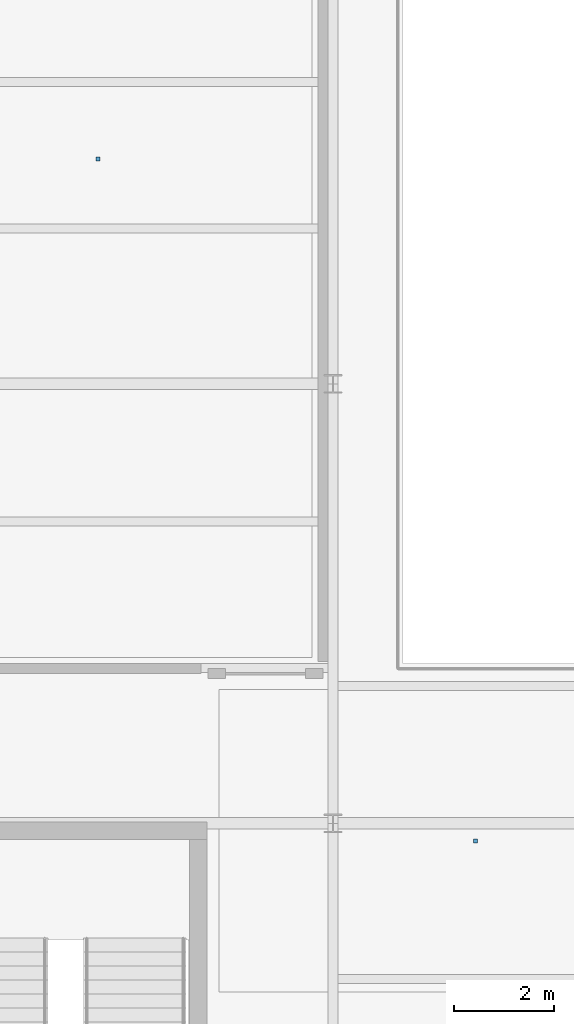
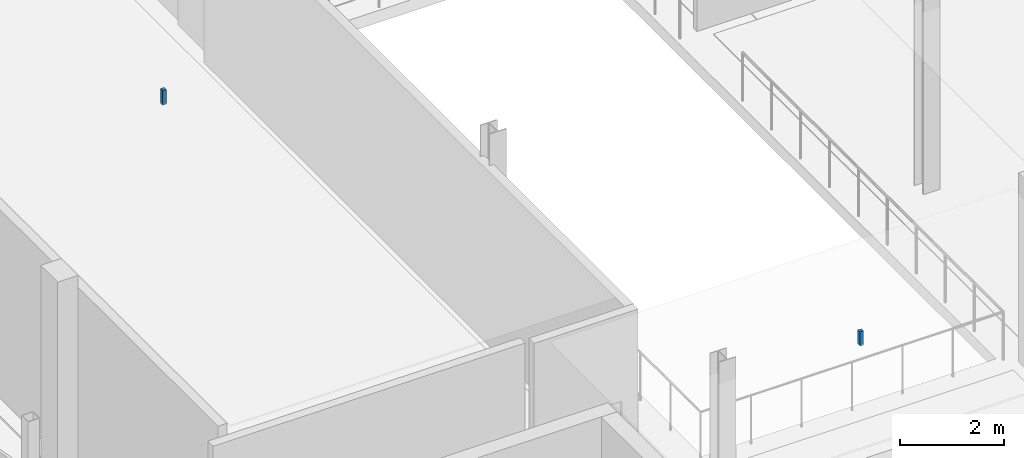
# One storey, part 140 of 157: 2 discrete accessories.
"""IFC4 building model written with IfcOpenShell, lengths in metres."""

from ifc_helpers import new_model, si_unit, direction, frame, origin, origin_2d, place, context, subcontext, project, spatial, rectangle, extrude, material, type_object, element, save


model = new_model("IFC4")

# Units and contexts
model_context = context("Model", 3, precision=1e-05, world=origin(), true_north=direction((0.0, 1.0)))
body_context = subcontext(model_context, "Body", "Model", "MODEL_VIEW")
ifc_project = project(units=[si_unit("LENGTHUNIT", "METRE"), si_unit("AREAUNIT", "SQUARE_METRE"), si_unit("VOLUMEUNIT", "CUBIC_METRE"), si_unit("PLANEANGLEUNIT", "RADIAN"), si_unit("MASSUNIT", "GRAM", prefix="KILO")], contexts=[model_context])

# Site, building, storey
site_placement = place(None, origin())
site = spatial("IfcSite", under=ifc_project, at=site_placement, CompositionType="ELEMENT")
building_placement = place(site_placement, origin())
building = spatial("IfcBuilding", under=site, at=building_placement, Name="Chalmorin Arch Market", CompositionType="ELEMENT")
storey_placement = place(building_placement, frame((0.0, 0.0, 4.800048828125)))
storey = spatial("IfcBuildingStorey", under=building, at=storey_placement, Name="L01", CompositionType="ELEMENT", Elevation=4.800048828125)

# Discrete accessories
ifc_material = material(Name="Galvanized Cold-Formed Steel", Category="steel")
discrete_accessory_type = type_object("IfcDiscreteAccessoryType", Name="CeilingSuspensionBracket-80x80", PredefinedType="BRACKET", material=ifc_material)
discrete_accessory_1_placement = place(storey_placement, frame((12.449951171875, 14.449951171875, 4.2529296875), z_axis=(0.0, 0.0, 1.0), x_axis=(1.0, 0.0, 0.0)))
element("IfcDiscreteAccessory", 1, at=discrete_accessory_1_placement, inside=storey, type_object=discrete_accessory_type, Name="CSB-153", PredefinedType="BRACKET", context=body_context, shape_type="SweptSolid", body=[
    extrude(rectangle(XDim=0.080078125, YDim=0.080078125, at=origin_2d()), origin(), (0.0, 0.0, 1.0), 0.3369140625),
])
discrete_accessory_2_placement = place(storey_placement, frame((4.89990234375, 28.10009765625, 4.2587890625), z_axis=(0.0, 0.0, 1.0), x_axis=(1.0, 0.0, 0.0)))
element("IfcDiscreteAccessory", 2, at=discrete_accessory_2_placement, inside=storey, type_object=discrete_accessory_type, Name="CSB-161", PredefinedType="BRACKET", context=body_context, shape_type="SweptSolid", body=[
    extrude(rectangle(XDim=0.080078125, YDim=0.080078125, at=origin_2d()), origin(), (0.0, 0.0, 1.0), 0.341064453125),
])

save(model, "model.ifc")
